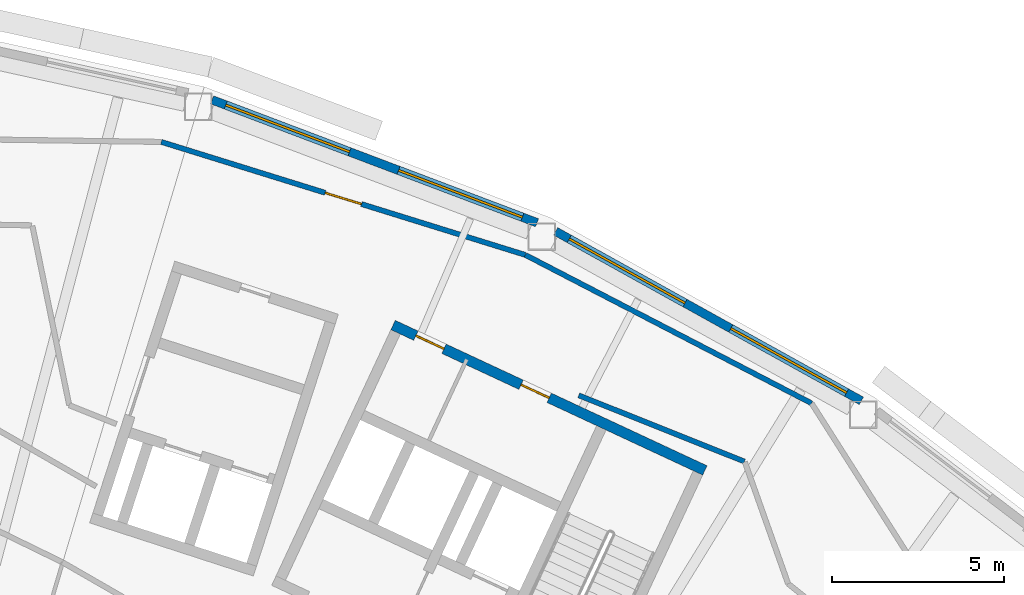
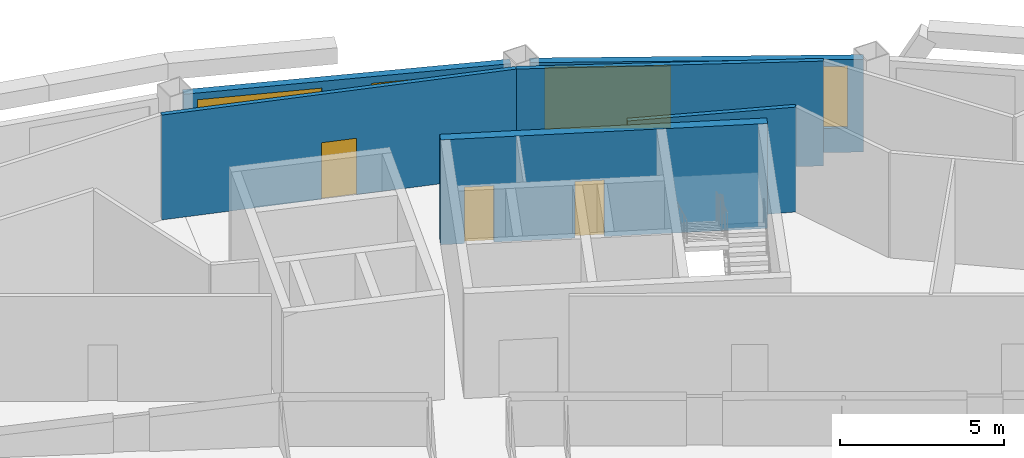
# One storey, part 11 of 14: 6 walls, 4 windows, 3 doors, 7 openings.
"""IFC4 building model written with IfcOpenShell, lengths in metres."""

from ifc_helpers import new_model, si_unit, direction, frame, frame_2d, origin, place, context, subcontext, project, spatial, rectangle, extrude, material, layer, layer_set, type_object, element, fill, save


model = new_model("IFC4")

# Units and contexts
model_context = context("Model", 3, precision=1e-05, world=origin(), true_north=direction((0.0, 1.0)))
body_context = subcontext(model_context, "Body", "Model", "MODEL_VIEW")
ifc_project = project(units=[si_unit("LENGTHUNIT", "METRE"), si_unit("AREAUNIT", "SQUARE_METRE"), si_unit("VOLUMEUNIT", "CUBIC_METRE"), si_unit("PLANEANGLEUNIT", "RADIAN"), si_unit("MASSUNIT", "GRAM", prefix="KILO")], contexts=[model_context])

# Site, building, storey
site_placement = place(None, origin())
site = spatial("IfcSite", under=ifc_project, at=site_placement, CompositionType="ELEMENT")
building_placement = place(site_placement, origin())
building = spatial("IfcBuilding", under=site, at=building_placement, Name="Tuul Gate Civic Tower", CompositionType="ELEMENT")
storey_placement = place(building_placement, frame((0.0, 0.0, 323.89990234375)))
storey = spatial("IfcBuildingStorey", under=building, at=storey_placement, Name="Level 73", CompositionType="ELEMENT", Elevation=323.89990234375)

# Wall, openings, doors
ifc_material_1 = material(Name="Concrete C50/60", Category="concrete")
ifc_layer_1 = layer(ifc_material_1, 0.300048828125)
ifc_layer_set_1 = layer_set([ifc_layer_1], Name="Concrete C50/60")
wall_type_1 = type_object("IfcWallType", Name="Core wall C50/60", PredefinedType="SHEAR", material=ifc_layer_set_1)
wall_1_placement = place(storey_placement, frame((37.993408203125, 0.181884765625, 0.0), z_axis=(0.0, 0.0, 1.0), x_axis=(-0.906310338845, 0.422612789327, 0.0)))
wall_1 = element("IfcWall", 1, at=wall_1_placement, inside=storey, type_object=wall_type_1, Name="Core wall", PredefinedType="SHEAR", context=body_context, shape_type="SweptSolid", body=[
    extrude(rectangle(XDim=9.999755859375, YDim=0.300048828125, at=frame_2d((5.0, 0.0))), origin(), (0.0, 0.0, 1.0), 3.900146484375),
])
opening_1_placement = place(wall_1_placement, frame((4.99365234375, 0.0, 0.0)))
opening_1 = element("IfcOpeningElement", 2, at=opening_1_placement, cuts=wall_1, Name="Opening AA-D32", PredefinedType="OPENING", context=body_context, shape_type="SweptSolid", body=[
    extrude(rectangle(XDim=0.89990234375, YDim=2.10009765625, at=frame_2d((0.449951171875, 1.050048828125))), frame((0.0, 0.16015625, 0.0), z_axis=(0.0, -1.0, 0.0), x_axis=(1.0, 0.0, 0.0)), (0.0, 0.0, 1.0), 0.320068359375),
])
opening_2_placement = place(wall_1_placement, frame((8.368896484375, 0.0, 0.0)))
opening_2 = element("IfcOpeningElement", 3, at=opening_2_placement, cuts=wall_1, Name="Opening AA-D33", PredefinedType="OPENING", context=body_context, shape_type="SweptSolid", body=[
    extrude(rectangle(XDim=0.89990234375, YDim=2.10009765625, at=frame_2d((0.449951171875, 1.050048828125))), frame((0.0, 0.16015625, 0.0), z_axis=(0.0, -1.0, 0.0), x_axis=(1.0, 0.0, 0.0)), (0.0, 0.0, 1.0), 0.320068359375),
])
ifc_material_2 = material(Name="Timber door leaf", Category="wood")
door_type_1 = type_object("IfcDoorType", Name="Door D09", OperationType="NOTDEFINED", PredefinedType="DOOR", material=ifc_material_2)
door_1_placement = place(opening_1_placement, origin())
door_1 = element("IfcDoor", 4, at=door_1_placement, inside=storey, type_object=door_type_1, Name="Door AA-D32", OperationType="SINGLE_SWING_LEFT", OverallHeight=2.10009765625, OverallWidth=0.89990234375, PredefinedType="DOOR", context=body_context, shape_type="SweptSolid", body=[
    extrude(rectangle(XDim=0.89990234375, YDim=2.10009765625, at=frame_2d((0.449951171875, 1.050048828125))), frame((0.0, 0.02490234375, 0.0), z_axis=(0.0, -1.0, 0.0), x_axis=(1.0, 0.0, 0.0)), (0.0, 0.0, 1.0), 0.050048828125),
])
fill(opening_1, door_1)
door_2_placement = place(opening_2_placement, origin())
door_2 = element("IfcDoor", 5, at=door_2_placement, inside=storey, type_object=door_type_1, Name="Door AA-D33", OperationType="SINGLE_SWING_RIGHT", OverallHeight=2.10009765625, OverallWidth=0.89990234375, PredefinedType="DOOR", context=body_context, shape_type="SweptSolid", body=[
    extrude(rectangle(XDim=0.89990234375, YDim=2.10009765625, at=frame_2d((0.449951171875, 1.050048828125))), frame((0.0, 0.02490234375, 0.0), z_axis=(0.0, -1.0, 0.0), x_axis=(1.0, 0.0, 0.0)), (0.0, 0.0, 1.0), 0.050048828125),
])
fill(opening_2, door_2)

# Wall
ifc_material_3 = material(Name="Gypsum board partition")
ifc_layer_2 = layer(ifc_material_3, 0.14990234375)
ifc_layer_set_2 = layer_set([ifc_layer_2], Name="Gypsum board partition")
wall_type_2 = type_object("IfcWallType", Name="Corridor wall P150", PredefinedType="PARTITIONING", material=ifc_layer_set_2)
wall_2_placement = place(storey_placement, frame((32.776611328125, 6.44580078125, 0.0), z_axis=(0.0, 0.0, 1.0), x_axis=(0.887777396517, -0.460273064857, 0.0)))
element("IfcWall", 6, at=wall_2_placement, inside=storey, type_object=wall_type_2, Name="p012", PredefinedType="PARTITIONING", context=body_context, shape_type="SweptSolid", body=[
    extrude(rectangle(XDim=9.37255859375, YDim=0.14990234375, at=frame_2d((4.686279296875, 0.0))), origin(), (0.0, 0.0, 1.0), 3.900146484375),
])

# Wall, opening, door
wall_3_placement = place(storey_placement, frame((22.1923828125, 9.731689453125, 0.0), z_axis=(0.0, 0.0, 1.0), x_axis=(0.955038110656, -0.296483063927, 0.0)))
wall_3 = element("IfcWall", 7, at=wall_3_placement, inside=storey, type_object=wall_type_2, Name="p013", PredefinedType="PARTITIONING", context=body_context, shape_type="SweptSolid", body=[
    extrude(rectangle(XDim=11.081298828125, YDim=0.14990234375, at=frame_2d((5.54052734375, 0.0))), origin(), (0.0, 0.0, 1.0), 3.900146484375),
])
opening_3_placement = place(wall_3_placement, frame((4.990478515625, 0.0, 0.0)))
opening_3 = element("IfcOpeningElement", 8, at=opening_3_placement, cuts=wall_3, Name="Opening AA-D01", PredefinedType="OPENING", context=body_context, shape_type="SweptSolid", body=[
    extrude(rectangle(XDim=1.10009765625, YDim=2.10009765625, at=frame_2d((0.550048828125, 1.050048828125))), frame((0.0, 0.0849609375, 0.0), z_axis=(0.0, -1.0, 0.0), x_axis=(1.0, 0.0, 0.0)), (0.0, 0.0, 1.0), 0.169921875),
])
ifc_material_4 = material(Name="Timber door leaf", Category="wood")
door_type_2 = type_object("IfcDoorType", Name="Door D11", OperationType="NOTDEFINED", PredefinedType="DOOR", material=ifc_material_4)
door_3_placement = place(opening_3_placement, origin())
door_3 = element("IfcDoor", 9, at=door_3_placement, inside=storey, type_object=door_type_2, Name="Door AA-D01", OperationType="SINGLE_SWING_RIGHT", OverallHeight=2.10009765625, OverallWidth=1.10009765625, PredefinedType="DOOR", context=body_context, shape_type="SweptSolid", body=[
    extrude(rectangle(XDim=1.10009765625, YDim=2.10009765625, at=frame_2d((0.550048828125, 1.050048828125))), frame((0.0, 0.02490234375, 0.0), z_axis=(0.0, -1.0, 0.0), x_axis=(1.0, 0.0, 0.0)), (0.0, 0.0, 1.0), 0.050048828125),
])
fill(opening_3, door_3)

# Wall
wall_4_placement = place(storey_placement, frame((34.3291015625, 2.36376953125, 0.0), z_axis=(0.0, 0.0, 1.0), x_axis=(0.928625983834, -0.371017226214, 0.0)))
element("IfcWall", 10, at=wall_4_placement, inside=storey, type_object=wall_type_2, Name="p101", PredefinedType="PARTITIONING", context=body_context, shape_type="SweptSolid", body=[
    extrude(rectangle(XDim=5.185302734375, YDim=0.14990234375, at=frame_2d((2.5927734375, 0.0))), origin(), (0.0, 0.0, 1.0), 3.900146484375),
])

# Wall, openings, windows
ifc_material_5 = material(Name="Precast concrete C40/50", Category="concrete")
ifc_layer_3 = layer(ifc_material_5, 0.25)
ifc_layer_set_3 = layer_set([ifc_layer_3], Name="Precast concrete C40/50")
wall_type_3 = type_object("IfcWallType", Name="External wall", PredefinedType="STANDARD", material=ifc_layer_set_3)
wall_5_placement = place(storey_placement, frame((42.54345703125, 2.205078125, 0.0), z_axis=(0.0, 0.0, 1.0), x_axis=(-0.87463511472, 0.484781823193, 0.0)))
wall_5 = element("IfcWall", 11, at=wall_5_placement, inside=storey, type_object=wall_type_3, Name="External wall", PredefinedType="STANDARD", context=body_context, shape_type="SweptSolid", body=[
    extrude(rectangle(XDim=10.161376953125, YDim=0.25, at=frame_2d((5.08056640625, 0.0))), origin(), (0.0, 0.0, 1.0), 3.4501953125),
])
opening_4_placement = place(wall_5_placement, frame((0.48974609375, 0.0, 0.89990234375)))
opening_4 = element("IfcOpeningElement", 12, at=opening_4_placement, cuts=wall_5, Name="Opening W22", PredefinedType="OPENING", context=body_context, shape_type="SweptSolid", body=[
    extrude(rectangle(XDim=3.85009765625, YDim=2.300048828125, at=frame_2d((1.925048828125, 1.14990234375))), frame((0.0, 0.135009765625, 0.0), z_axis=(0.0, -1.0, 0.0), x_axis=(1.0, 0.0, 0.0)), (0.0, 0.0, 1.0), 0.27001953125),
])
opening_5_placement = place(wall_5_placement, frame((5.861328125, 0.0, 0.89990234375)))
opening_5 = element("IfcOpeningElement", 13, at=opening_5_placement, cuts=wall_5, Name="Opening W22", PredefinedType="OPENING", context=body_context, shape_type="SweptSolid", body=[
    extrude(rectangle(XDim=3.85009765625, YDim=2.300048828125, at=frame_2d((1.925048828125, 1.14990234375))), frame((0.0, 0.135009765625, 0.0), z_axis=(0.0, -1.0, 0.0), x_axis=(1.0, 0.0, 0.0)), (0.0, 0.0, 1.0), 0.27001953125),
])
ifc_material_6 = material(Name="Glass", Category="glass")
window_type = type_object("IfcWindowType", Name="Window W22 3850 x 2300", PartitioningType="SINGLE_PANEL", PredefinedType="WINDOW", material=ifc_material_6)
window_1_placement = place(opening_4_placement, origin())
window_1 = element("IfcWindow", 14, at=window_1_placement, inside=storey, type_object=window_type, Name="Window", OverallHeight=2.300048828125, OverallWidth=3.85009765625, PartitioningType="SINGLE_PANEL", PredefinedType="WINDOW", context=body_context, shape_type="SweptSolid", body=[
    extrude(rectangle(XDim=3.85009765625, YDim=2.300048828125, at=frame_2d((1.925048828125, 1.14990234375))), frame((0.0, 0.030029296875, 0.0), z_axis=(0.0, -1.0, 0.0), x_axis=(1.0, 0.0, 0.0)), (0.0, 0.0, 1.0), 0.06005859375),
])
fill(opening_4, window_1)
window_2_placement = place(opening_5_placement, origin())
window_2 = element("IfcWindow", 15, at=window_2_placement, inside=storey, type_object=window_type, Name="Window", OverallHeight=2.300048828125, OverallWidth=3.85009765625, PartitioningType="SINGLE_PANEL", PredefinedType="WINDOW", context=body_context, shape_type="SweptSolid", body=[
    extrude(rectangle(XDim=3.85009765625, YDim=2.300048828125, at=frame_2d((1.925048828125, 1.14990234375))), frame((0.0, 0.030029296875, 0.0), z_axis=(0.0, -1.0, 0.0), x_axis=(1.0, 0.0, 0.0)), (0.0, 0.0, 1.0), 0.06005859375),
])
fill(opening_5, window_2)

wall_6_placement = place(storey_placement, frame((33.115478515625, 7.382080078125, 0.0), z_axis=(0.0, 0.0, 1.0), x_axis=(-0.93534700963, 0.353731496444, 0.0)))
wall_6 = element("IfcWall", 16, at=wall_6_placement, inside=storey, type_object=wall_type_3, Name="External wall", PredefinedType="STANDARD", context=body_context, shape_type="SweptSolid", body=[
    extrude(rectangle(XDim=10.099609375, YDim=0.25, at=frame_2d((5.0498046875, 0.0))), origin(), (0.0, 0.0, 1.0), 3.4501953125),
])
opening_6_placement = place(wall_6_placement, frame((0.45556640625, 0.0, 0.89990234375)))
opening_6 = element("IfcOpeningElement", 17, at=opening_6_placement, cuts=wall_6, Name="Opening W22", PredefinedType="OPENING", context=body_context, shape_type="SweptSolid", body=[
    extrude(rectangle(XDim=3.85009765625, YDim=2.300048828125, at=frame_2d((1.925048828125, 1.14990234375))), frame((0.0, 0.135009765625, 0.0), z_axis=(0.0, -1.0, 0.0), x_axis=(1.0, 0.0, 0.0)), (0.0, 0.0, 1.0), 0.27001953125),
])
opening_7_placement = place(wall_6_placement, frame((5.826904296875, 0.0, 0.89990234375)))
opening_7 = element("IfcOpeningElement", 18, at=opening_7_placement, cuts=wall_6, Name="Opening W22", PredefinedType="OPENING", context=body_context, shape_type="SweptSolid", body=[
    extrude(rectangle(XDim=3.85009765625, YDim=2.300048828125, at=frame_2d((1.925048828125, 1.14990234375))), frame((0.0, 0.135009765625, 0.0), z_axis=(0.0, -1.0, 0.0), x_axis=(1.0, 0.0, 0.0)), (0.0, 0.0, 1.0), 0.27001953125),
])
window_3_placement = place(opening_6_placement, origin())
window_3 = element("IfcWindow", 19, at=window_3_placement, inside=storey, type_object=window_type, Name="Window", OverallHeight=2.300048828125, OverallWidth=3.85009765625, PartitioningType="SINGLE_PANEL", PredefinedType="WINDOW", context=body_context, shape_type="SweptSolid", body=[
    extrude(rectangle(XDim=3.85009765625, YDim=2.300048828125, at=frame_2d((1.925048828125, 1.14990234375))), frame((0.0, 0.030029296875, 0.0), z_axis=(0.0, -1.0, 0.0), x_axis=(1.0, 0.0, 0.0)), (0.0, 0.0, 1.0), 0.06005859375),
])
fill(opening_6, window_3)
window_4_placement = place(opening_7_placement, origin())
window_4 = element("IfcWindow", 20, at=window_4_placement, inside=storey, type_object=window_type, Name="Window", OverallHeight=2.300048828125, OverallWidth=3.85009765625, PartitioningType="SINGLE_PANEL", PredefinedType="WINDOW", context=body_context, shape_type="SweptSolid", body=[
    extrude(rectangle(XDim=3.85009765625, YDim=2.300048828125, at=frame_2d((1.925048828125, 1.14990234375))), frame((0.0, 0.030029296875, 0.0), z_axis=(0.0, -1.0, 0.0), x_axis=(1.0, 0.0, 0.0)), (0.0, 0.0, 1.0), 0.06005859375),
])
fill(opening_7, window_4)

save(model, "model.ifc")
